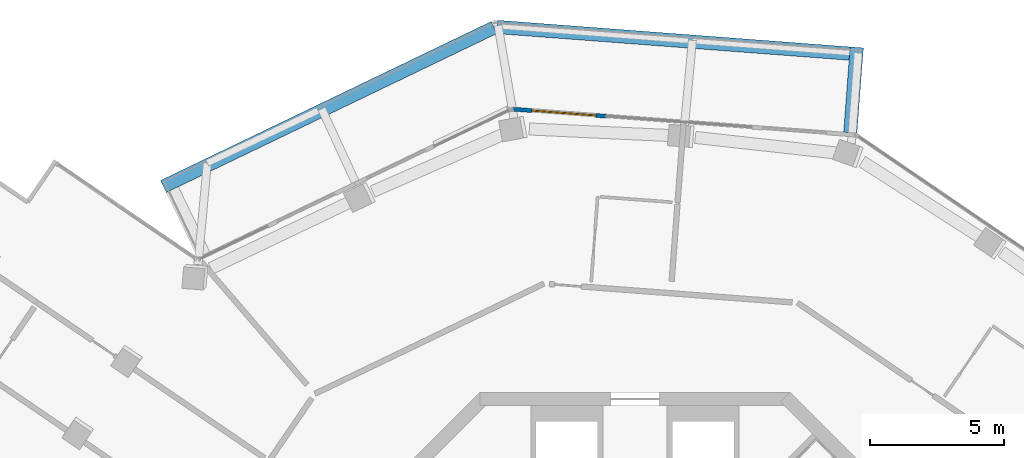
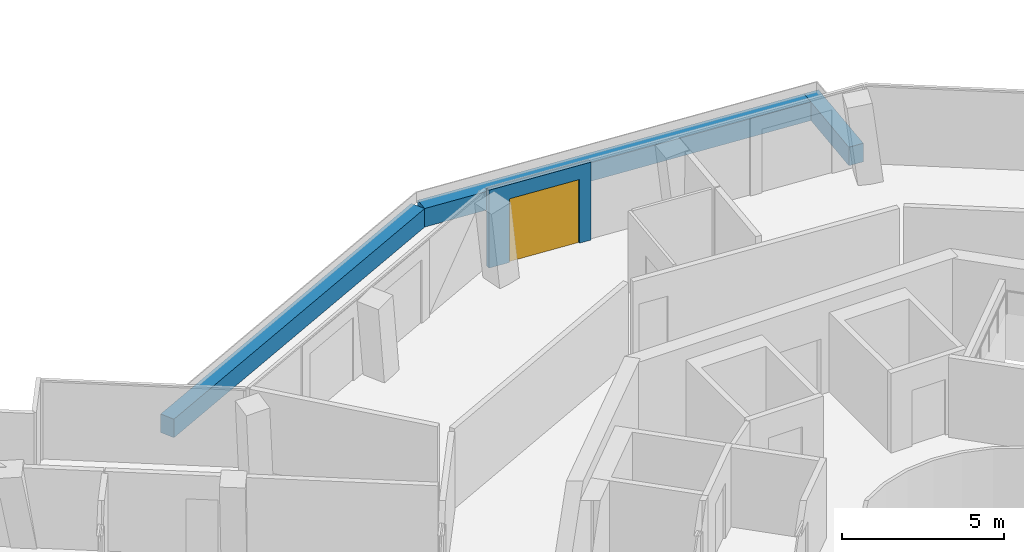
# One storey, part 20 of 23: 4 walls, 1 door, 1 opening.
"""IFC4 building model written with IfcOpenShell, lengths in metres."""

from ifc_helpers import new_model, si_unit, direction, frame, frame_2d, origin, place, context, subcontext, project, spatial, rectangle, extrude, material, layer, layer_set, type_object, element, fill, save


model = new_model("IFC4")

# Units and contexts
model_context = context("Model", 3, precision=1e-05, world=origin(), true_north=direction((0.0, 1.0)))
body_context = subcontext(model_context, "Body", "Model", "MODEL_VIEW")
ifc_project = project(units=[si_unit("LENGTHUNIT", "METRE"), si_unit("AREAUNIT", "SQUARE_METRE"), si_unit("VOLUMEUNIT", "CUBIC_METRE"), si_unit("PLANEANGLEUNIT", "RADIAN"), si_unit("MASSUNIT", "GRAM", prefix="KILO")], contexts=[model_context])

# Site, building, storey
site_placement = place(None, origin())
site = spatial("IfcSite", under=ifc_project, at=site_placement, CompositionType="ELEMENT")
building_placement = place(site_placement, origin())
building = spatial("IfcBuilding", under=site, at=building_placement, Name="Verdalira Terraces Hotel", CompositionType="ELEMENT")
storey_placement = place(building_placement, frame((0.0, 0.0, 259.5)))
storey = spatial("IfcBuildingStorey", under=building, at=storey_placement, Name="L64", CompositionType="ELEMENT", Elevation=259.5)

# Walls
ifc_material_1 = material(Name="Concrete C40", Category="concrete")
ifc_layer_1 = layer(ifc_material_1, 0.5)
ifc_layer_set_1 = layer_set([ifc_layer_1], Name="Balcony planter trough with tree")
wall_type_1 = type_object("IfcWallType", Name="Balcony planter trough with tree", PredefinedType="SOLIDWALL", material=ifc_layer_set_1)
wall_1_placement = place(storey_placement, frame((8.05957, 23.719727, 0.0), z_axis=(0.0, 0.0, 1.0), x_axis=(0.075330696, 0.997158606, 0.0)))
element("IfcWall", 1, at=wall_1_placement, inside=storey, type_object=wall_type_1, Name="Balcony planter", PredefinedType="SOLIDWALL", context=body_context, shape_type="SweptSolid", body=[
    extrude(rectangle(XDim=3.19873, YDim=0.5, at=frame_2d((1.599365, 0.0))), origin(), (0.0, 0.0, 1.0), 0.699951),
])
wall_2_placement = place(storey_placement, frame((8.032471, 26.678955, 0.0), z_axis=(0.0, 0.0, 1.0), x_axis=(-0.997158785, 0.075328331, 0.0)))
element("IfcWall", 2, at=wall_2_placement, inside=storey, type_object=wall_type_1, Name="Balcony planter", PredefinedType="SOLIDWALL", context=body_context, shape_type="SweptSolid", body=[
    extrude(rectangle(XDim=13.223389, YDim=0.5, at=frame_2d((6.611816, 0.0))), origin(), (0.0, 0.0, 1.0), 0.699951),
])
wall_3_placement = place(storey_placement, frame((-5.280518, 27.651123, 0.0), z_axis=(0.0, 0.0, 1.0), x_axis=(-0.901229979, -0.433341118, 0.0)))
element("IfcWall", 3, at=wall_3_placement, inside=storey, type_object=wall_type_1, Name="Balcony planter", PredefinedType="SOLIDWALL", context=body_context, shape_type="SweptSolid", body=[
    extrude(rectangle(XDim=13.723633, YDim=0.5, at=frame_2d((6.861816, 0.0))), origin(), (0.0, 0.0, 1.0), 0.699951),
])

# Wall, opening, door
ifc_material_2 = material(Name="Terracotta cladding", Category="masonry")
ifc_layer_2 = layer(ifc_material_2, 0.14990234375)
ifc_layer_set_2 = layer_set([ifc_layer_2], Name="Terracotta door pier 150")
wall_type_2 = type_object("IfcWallType", Name="Terracotta door pier 150", PredefinedType="SOLIDWALL", material=ifc_layer_set_2)
wall_4_placement = place(storey_placement, frame((-1.065918, 24.332764, 0.0), z_axis=(0.0, 0.0, 1.0), x_axis=(-0.997159679, 0.075316491, 0.0)))
wall_4 = element("IfcWall", 4, at=wall_4_placement, inside=storey, type_object=wall_type_2, Name="Terracotta door pier", PredefinedType="SOLIDWALL", context=body_context, shape_type="SweptSolid", body=[
    extrude(rectangle(XDim=3.50415, YDim=0.149902, at=frame_2d((1.751953, 0.0))), origin(), (0.0, 0.0, 1.0), 2.935059),
])
opening_placement = place(wall_4_placement, frame((0.399902, 0.0, 0.0)))
opening = element("IfcOpeningElement", 5, at=opening_placement, cuts=wall_4, Name="Opening L64-B13", PredefinedType="OPENING", context=body_context, shape_type="SweptSolid", body=[
    extrude(rectangle(XDim=2.399902, YDim=2.399902, at=frame_2d((1.199951, 1.199951))), frame((0.0, 0.084961, 0.0), z_axis=(0.0, -1.0, 0.0), x_axis=(1.0, 0.0, 0.0)), (0.0, 0.0, 1.0), 0.169922),
])
ifc_material_3 = material(Name="Clear glass", Category="glass")
door_type = type_object("IfcDoorType", Name="Balcony sliding door 2400x2400", OperationType="NOTDEFINED", PredefinedType="DOOR", material=ifc_material_3)
door_placement = place(opening_placement, origin())
door = element("IfcDoor", 6, at=door_placement, inside=storey, type_object=door_type, Name="Balcony sliding door", OperationType="SLIDING_TO_RIGHT", OverallHeight=2.39990234375, OverallWidth=2.39990234375, PredefinedType="DOOR", context=body_context, shape_type="SweptSolid", body=[
    extrude(rectangle(XDim=2.399902, YDim=2.399902, at=frame_2d((1.199951, 1.199951))), frame((0.0, 0.024902, 0.0), z_axis=(0.0, -1.0, 0.0), x_axis=(1.0, 0.0, 0.0)), (0.0, 0.0, 1.0), 0.050049),
])
fill(opening, door)

save(model, "model.ifc")
